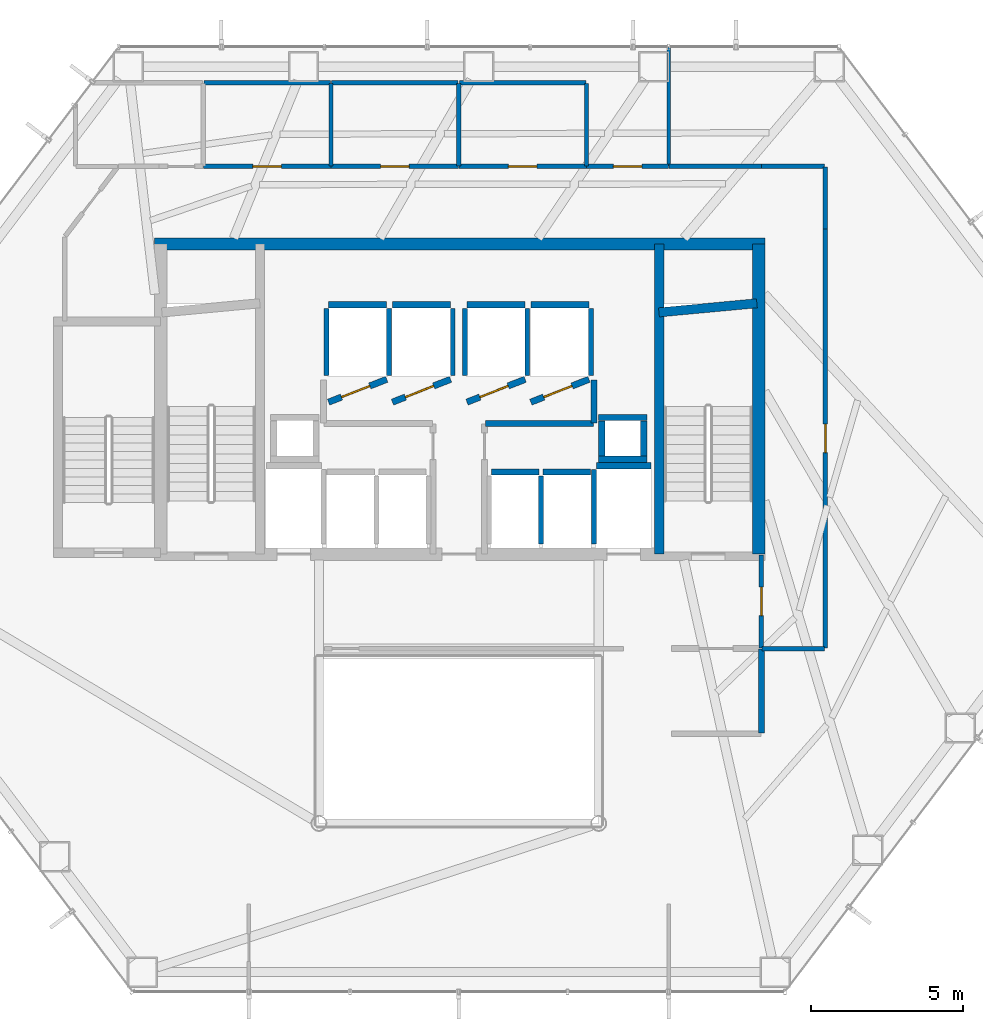
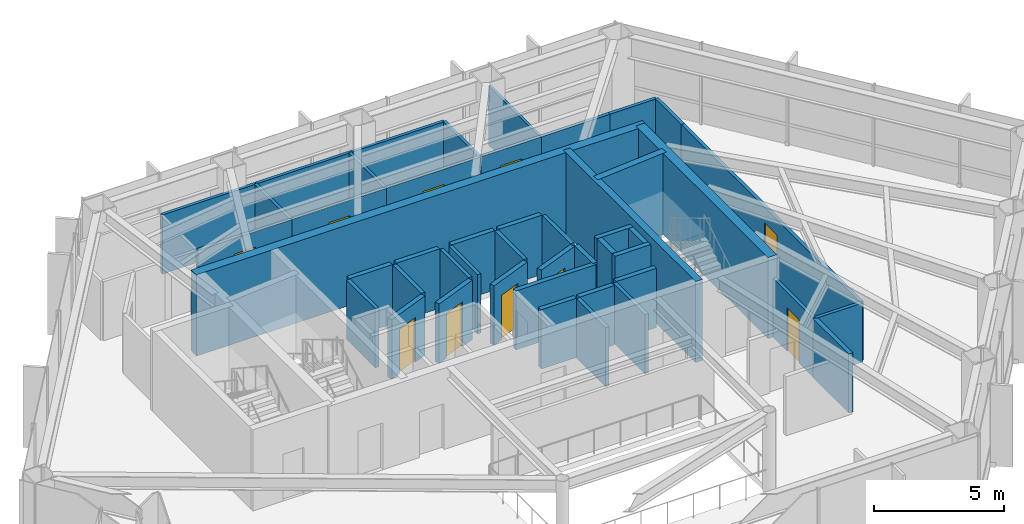
# One storey, part 23 of 25: 47 walls, 10 doors, 10 openings.
"""IFC4 building model written with IfcOpenShell, lengths in metres."""

from ifc_helpers import new_model, si_unit, direction, frame, frame_2d, origin, place, context, subcontext, project, spatial, rectangle, extrude, material, layer, layer_set, type_object, element, fill, save


model = new_model("IFC4")

# Units and contexts
model_context = context("Model", 3, precision=1e-05, world=origin(), true_north=direction((0.0, 1.0)))
body_context = subcontext(model_context, "Body", "Model", "MODEL_VIEW")
ifc_project = project(units=[si_unit("LENGTHUNIT", "METRE"), si_unit("AREAUNIT", "SQUARE_METRE"), si_unit("VOLUMEUNIT", "CUBIC_METRE"), si_unit("PLANEANGLEUNIT", "RADIAN"), si_unit("MASSUNIT", "GRAM", prefix="KILO")], contexts=[model_context])

# Site, building, storey
site_placement = place(None, origin())
site = spatial("IfcSite", under=ifc_project, at=site_placement, CompositionType="ELEMENT")
building_placement = place(site_placement, origin())
building = spatial("IfcBuilding", under=site, at=building_placement, Name="Zarrinselat Tower", CompositionType="ELEMENT")
storey_placement = place(building_placement, frame((0.0, 0.0, 56.10009765625)))
storey = spatial("IfcBuildingStorey", under=building, at=storey_placement, Name="L13", CompositionType="ELEMENT", Elevation=56.10009765625)

# Wall
ifc_material_1 = material(Name="Concrete C40/50", Category="concrete")
ifc_layer_1 = layer(ifc_material_1, 0.18994140625)
ifc_layer_set_1 = layer_set([ifc_layer_1], Name="Concrete C40/50")
wall_type_1 = type_object("IfcWallType", Name="WAL-PART-EI120", PredefinedType="PARTITIONING", material=ifc_layer_set_1)
wall_1_placement = place(storey_placement, frame((48.35009765625, 27.3701171875, 0.0), z_axis=(0.0, 0.0, 1.0), x_axis=(0.0, 1.0, 0.0)))
element("IfcWall", 1, at=wall_1_placement, inside=storey, type_object=wall_type_1, Name="L13 Partition Wall 11", PredefinedType="PARTITIONING", context=body_context, shape_type="SweptSolid", body=[
    extrude(rectangle(XDim=2.759765625, YDim=0.18994140625, at=frame_2d((1.3798828125, 0.0))), origin(), (0.0, 0.0, 1.0), 2.77685546875),
])

# Wall, opening, door
ifc_material_2 = material(Name="Fire-Rated Gypsum Board Partition", Category="gypsum")
ifc_layer_2 = layer(ifc_material_2, 0.14990234375)
ifc_layer_set_2 = layer_set([ifc_layer_2], Name="Fire-Rated Gypsum Board Partition")
wall_type_2 = type_object("IfcWallType", Name="WAL-PART-EI60", PredefinedType="PARTITIONING", material=ifc_layer_set_2)
wall_2_placement = place(storey_placement, frame((48.35009765625, 30.169921875, 0.0), z_axis=(0.0, 0.0, 1.0), x_axis=(0.0, 1.0, 0.0)))
wall_2 = element("IfcWall", 2, at=wall_2_placement, inside=storey, type_object=wall_type_2, Name="L13 Partition Wall 8", PredefinedType="PARTITIONING", context=body_context, shape_type="SweptSolid", body=[
    extrude(rectangle(XDim=3.06005859375, YDim=0.14990234375, at=frame_2d((1.530029296875, 0.0))), origin(), (0.0, 0.0, 1.0), 2.77685546875),
])
opening_1_placement = place(wall_2_placement, frame((1.06005859375, 0.0, 0.0)))
opening_1 = element("IfcOpeningElement", 3, at=opening_1_placement, cuts=wall_2, Name="Opening ID-04", PredefinedType="OPENING", context=body_context, shape_type="SweptSolid", body=[
    extrude(rectangle(XDim=0.93994140625, YDim=2.050048828125, at=frame_2d((0.469970703125, 1.02490234375))), frame((0.0, 0.0849609375, 0.0), z_axis=(0.0, -1.0, 0.0), x_axis=(1.0, 0.0, 0.0)), (0.0, 0.0, 1.0), 0.169921875),
])
ifc_material_3 = material(Name="Fire-Rated Gypsum Board Partition")
door_type_1 = type_object("IfcDoorType", Name="DR-INT-FD30-ENT", OperationType="NOTDEFINED", PredefinedType="DOOR", material=ifc_material_3)
door_1_placement = place(opening_1_placement, origin())
door_1 = element("IfcDoor", 4, at=door_1_placement, inside=storey, type_object=door_type_1, Name="L13 Interior Door P8", OperationType="SINGLE_SWING_LEFT", OverallHeight=2.050048828125, OverallWidth=0.93994140625, PredefinedType="DOOR", context=body_context, shape_type="SweptSolid", body=[
    extrude(rectangle(XDim=0.93994140625, YDim=2.050048828125, at=frame_2d((0.469970703125, 1.02490234375))), frame((0.0, 0.02490234375, 0.0), z_axis=(0.0, -1.0, 0.0), x_axis=(1.0, 0.0, 0.0)), (0.0, 0.0, 1.0), 0.050048828125),
])
fill(opening_1, door_1)

wall_3_placement = place(storey_placement, frame((30.0048828125, 46.0, 0.0), z_axis=(0.0, 0.0, 1.0), x_axis=(1.0, 0.0, 0.0)))
wall_3 = element("IfcWall", 5, at=wall_3_placement, inside=storey, type_object=wall_type_2, Name="L13 Partition Wall 14", PredefinedType="PARTITIONING", context=body_context, shape_type="SweptSolid", body=[
    extrude(rectangle(XDim=4.190185546875, YDim=0.14990234375, at=frame_2d((2.09521484375, 0.0))), origin(), (0.0, 0.0, 1.0), 2.77685546875),
])
opening_2_placement = place(wall_3_placement, frame((1.625, 0.0, 0.0)))
opening_2 = element("IfcOpeningElement", 6, at=opening_2_placement, cuts=wall_3, Name="Opening ID-04", PredefinedType="OPENING", context=body_context, shape_type="SweptSolid", body=[
    extrude(rectangle(XDim=0.93994140625, YDim=2.050048828125, at=frame_2d((0.469970703125, 1.02490234375))), frame((0.0, 0.0849609375, 0.0), z_axis=(0.0, -1.0, 0.0), x_axis=(1.0, 0.0, 0.0)), (0.0, 0.0, 1.0), 0.169921875),
])
door_2_placement = place(opening_2_placement, origin())
door_2 = element("IfcDoor", 7, at=door_2_placement, inside=storey, type_object=door_type_1, Name="L13 Interior Door P14", OperationType="SINGLE_SWING_RIGHT", OverallHeight=2.050048828125, OverallWidth=0.93994140625, PredefinedType="DOOR", context=body_context, shape_type="SweptSolid", body=[
    extrude(rectangle(XDim=0.93994140625, YDim=2.050048828125, at=frame_2d((0.469970703125, 1.02490234375))), frame((0.0, 0.02490234375, 0.0), z_axis=(0.0, -1.0, 0.0), x_axis=(1.0, 0.0, 0.0)), (0.0, 0.0, 1.0), 0.050048828125),
])
fill(opening_2, door_2)

wall_4_placement = place(storey_placement, frame((34.205078125, 46.0, 0.0), z_axis=(0.0, 0.0, 1.0), x_axis=(1.0, 0.0, 0.0)))
wall_4 = element("IfcWall", 8, at=wall_4_placement, inside=storey, type_object=wall_type_2, Name="L13 Partition Wall 15", PredefinedType="PARTITIONING", context=body_context, shape_type="SweptSolid", body=[
    extrude(rectangle(XDim=4.18994140625, YDim=0.14990234375, at=frame_2d((2.094970703125, 0.0))), origin(), (0.0, 0.0, 1.0), 2.77685546875),
])
opening_3_placement = place(wall_4_placement, frame((1.625, 0.0, 0.0)))
opening_3 = element("IfcOpeningElement", 9, at=opening_3_placement, cuts=wall_4, Name="Opening ID-04", PredefinedType="OPENING", context=body_context, shape_type="SweptSolid", body=[
    extrude(rectangle(XDim=0.93994140625, YDim=2.050048828125, at=frame_2d((0.469970703125, 1.02490234375))), frame((0.0, 0.0849609375, 0.0), z_axis=(0.0, -1.0, 0.0), x_axis=(1.0, 0.0, 0.0)), (0.0, 0.0, 1.0), 0.169921875),
])
door_3_placement = place(opening_3_placement, origin())
door_3 = element("IfcDoor", 10, at=door_3_placement, inside=storey, type_object=door_type_1, Name="L13 Interior Door P15", OperationType="SINGLE_SWING_LEFT", OverallHeight=2.050048828125, OverallWidth=0.93994140625, PredefinedType="DOOR", context=body_context, shape_type="SweptSolid", body=[
    extrude(rectangle(XDim=0.93994140625, YDim=2.050048828125, at=frame_2d((0.469970703125, 1.02490234375))), frame((0.0, 0.02490234375, 0.0), z_axis=(0.0, -1.0, 0.0), x_axis=(1.0, 0.0, 0.0)), (0.0, 0.0, 1.0), 0.050048828125),
])
fill(opening_3, door_3)

wall_5_placement = place(storey_placement, frame((38.405029296875, 46.0, 0.0), z_axis=(0.0, 0.0, 1.0), x_axis=(1.0, 0.0, 0.0)))
wall_5 = element("IfcWall", 11, at=wall_5_placement, inside=storey, type_object=wall_type_2, Name="L13 Partition Wall 16", PredefinedType="PARTITIONING", context=body_context, shape_type="SweptSolid", body=[
    extrude(rectangle(XDim=4.18994140625, YDim=0.14990234375, at=frame_2d((2.094970703125, 0.0))), origin(), (0.0, 0.0, 1.0), 2.77685546875),
])
opening_4_placement = place(wall_5_placement, frame((1.625, 0.0, 0.0)))
opening_4 = element("IfcOpeningElement", 12, at=opening_4_placement, cuts=wall_5, Name="Opening ID-04", PredefinedType="OPENING", context=body_context, shape_type="SweptSolid", body=[
    extrude(rectangle(XDim=0.93994140625, YDim=2.050048828125, at=frame_2d((0.469970703125, 1.02490234375))), frame((0.0, 0.0849609375, 0.0), z_axis=(0.0, -1.0, 0.0), x_axis=(1.0, 0.0, 0.0)), (0.0, 0.0, 1.0), 0.169921875),
])
door_4_placement = place(opening_4_placement, origin())
door_4 = element("IfcDoor", 13, at=door_4_placement, inside=storey, type_object=door_type_1, Name="L13 Interior Door P16", OperationType="SINGLE_SWING_RIGHT", OverallHeight=2.050048828125, OverallWidth=0.93994140625, PredefinedType="DOOR", context=body_context, shape_type="SweptSolid", body=[
    extrude(rectangle(XDim=0.93994140625, YDim=2.050048828125, at=frame_2d((0.469970703125, 1.02490234375))), frame((0.0, 0.02490234375, 0.0), z_axis=(0.0, -1.0, 0.0), x_axis=(1.0, 0.0, 0.0)), (0.0, 0.0, 1.0), 0.050048828125),
])
fill(opening_4, door_4)

# Walls
wall_6_placement = place(storey_placement, frame((45.304931640625, 46.0, 0.0), z_axis=(0.0, 0.0, 1.0), x_axis=(1.0, 0.0, 0.0)))
element("IfcWall", 14, at=wall_6_placement, inside=storey, type_object=wall_type_2, Name="L13 Partition Wall 19", PredefinedType="PARTITIONING", context=body_context, shape_type="SweptSolid", body=[
    extrude(rectangle(XDim=3.045166015625, YDim=0.14990234375, at=frame_2d((1.5224609375, 0.0))), origin(), (0.0, 0.0, 1.0), 2.77685546875),
])
wall_7_placement = place(storey_placement, frame((48.35009765625, 46.0, 0.0), z_axis=(0.0, 0.0, 1.0), x_axis=(1.0, 0.0, 0.0)))
element("IfcWall", 15, at=wall_7_placement, inside=storey, type_object=wall_type_2, Name="L13 Partition Wall 20", PredefinedType="PARTITIONING", context=body_context, shape_type="SweptSolid", body=[
    extrude(rectangle(XDim=2.079833984375, YDim=0.14990234375, at=frame_2d((1.0400390625, 0.0))), origin(), (0.0, 0.0, 1.0), 2.77685546875),
])
wall_8_placement = place(storey_placement, frame((50.449951171875, 43.949951171875, 0.0), z_axis=(0.0, 0.0, 1.0), x_axis=(0.0, 1.0, 0.0)))
element("IfcWall", 16, at=wall_8_placement, inside=storey, type_object=wall_type_2, Name="L13 Partition Wall 21", PredefinedType="PARTITIONING", context=body_context, shape_type="SweptSolid", body=[
    extrude(rectangle(XDim=2.030029296875, YDim=0.14990234375, at=frame_2d((1.01513671875, 0.0))), origin(), (0.0, 0.0, 1.0), 2.77685546875),
])

# Wall, opening, door
wall_9_placement = place(storey_placement, frame((50.449951171875, 30.169921875, 0.0), z_axis=(0.0, 0.0, 1.0), x_axis=(0.0, 1.0, 0.0)))
wall_9 = element("IfcWall", 17, at=wall_9_placement, inside=storey, type_object=wall_type_2, Name="L13 Partition Wall 22", PredefinedType="PARTITIONING", context=body_context, shape_type="SweptSolid", body=[
    extrude(rectangle(XDim=13.780029296875, YDim=0.14990234375, at=frame_2d((6.89013671875, 0.0))), origin(), (0.0, 0.0, 1.0), 2.77685546875),
])
opening_5_placement = place(wall_9_placement, frame((6.419921875, 0.0, 0.0)))
opening_5 = element("IfcOpeningElement", 18, at=opening_5_placement, cuts=wall_9, Name="Opening ID-04", PredefinedType="OPENING", context=body_context, shape_type="SweptSolid", body=[
    extrude(rectangle(XDim=0.93994140625, YDim=2.050048828125, at=frame_2d((0.469970703125, 1.02490234375))), frame((0.0, 0.0849609375, 0.0), z_axis=(0.0, -1.0, 0.0), x_axis=(1.0, 0.0, 0.0)), (0.0, 0.0, 1.0), 0.169921875),
])
door_5_placement = place(opening_5_placement, origin())
door_5 = element("IfcDoor", 19, at=door_5_placement, inside=storey, type_object=door_type_1, Name="L13 Interior Door P22", OperationType="SINGLE_SWING_RIGHT", OverallHeight=2.050048828125, OverallWidth=0.93994140625, PredefinedType="DOOR", context=body_context, shape_type="SweptSolid", body=[
    extrude(rectangle(XDim=0.93994140625, YDim=2.050048828125, at=frame_2d((0.469970703125, 1.02490234375))), frame((0.0, 0.02490234375, 0.0), z_axis=(0.0, -1.0, 0.0), x_axis=(1.0, 0.0, 0.0)), (0.0, 0.0, 1.0), 0.050048828125),
])
fill(opening_5, door_5)

# Wall
wall_10_placement = place(storey_placement, frame((48.3701171875, 30.14990234375, 0.0), z_axis=(0.0, 0.0, 1.0), x_axis=(1.0, 0.0, 0.0)))
element("IfcWall", 20, at=wall_10_placement, inside=storey, type_object=wall_type_2, Name="L13 Partition Wall 23", PredefinedType="PARTITIONING", context=body_context, shape_type="SweptSolid", body=[
    extrude(rectangle(XDim=2.059814453125, YDim=0.14990234375, at=frame_2d((1.02978515625, 0.0))), origin(), (0.0, 0.0, 1.0), 2.77685546875),
])

# Wall, opening, door
wall_11_placement = place(storey_placement, frame((42.60498046875, 46.0, 0.0), z_axis=(0.0, 0.0, 1.0), x_axis=(1.0, 0.0, 0.0)))
wall_11 = element("IfcWall", 21, at=wall_11_placement, inside=storey, type_object=wall_type_2, Name="L13 Partition Wall 24", PredefinedType="PARTITIONING", context=body_context, shape_type="SweptSolid", body=[
    extrude(rectangle(XDim=2.68994140625, YDim=0.14990234375, at=frame_2d((1.344970703125, 0.0))), origin(), (0.0, 0.0, 1.0), 2.77685546875),
])
opening_6_placement = place(wall_11_placement, frame((0.875, 0.0, 0.0)))
opening_6 = element("IfcOpeningElement", 22, at=opening_6_placement, cuts=wall_11, Name="Opening ID-04", PredefinedType="OPENING", context=body_context, shape_type="SweptSolid", body=[
    extrude(rectangle(XDim=0.93994140625, YDim=2.050048828125, at=frame_2d((0.469970703125, 1.02490234375))), frame((0.0, 0.0849609375, 0.0), z_axis=(0.0, -1.0, 0.0), x_axis=(1.0, 0.0, 0.0)), (0.0, 0.0, 1.0), 0.169921875),
])
door_6_placement = place(opening_6_placement, origin())
door_6 = element("IfcDoor", 23, at=door_6_placement, inside=storey, type_object=door_type_1, Name="L13 Interior Door P24", OperationType="SINGLE_SWING_LEFT", OverallHeight=2.050048828125, OverallWidth=0.93994140625, PredefinedType="DOOR", context=body_context, shape_type="SweptSolid", body=[
    extrude(rectangle(XDim=0.93994140625, YDim=2.050048828125, at=frame_2d((0.469970703125, 1.02490234375))), frame((0.0, 0.02490234375, 0.0), z_axis=(0.0, -1.0, 0.0), x_axis=(1.0, 0.0, 0.0)), (0.0, 0.0, 1.0), 0.050048828125),
])
fill(opening_6, door_6)

# Walls
ifc_material_4 = material(Name="Concrete C40/50", Category="concrete")
ifc_layer_3 = layer(ifc_material_4, 0.199951171875)
ifc_layer_set_3 = layer_set([ifc_layer_3], Name="Concrete C40/50")
wall_type_3 = type_object("IfcWallType", Name="WAL-PART-PLANT", PredefinedType="PARTITIONING", material=ifc_layer_set_3)
wall_12_placement = place(storey_placement, frame((42.85009765625, 37.570068359375, 0.0), z_axis=(0.0, 0.0, 1.0), x_axis=(0.0, 1.0, 0.0)))
element("IfcWall", 24, at=wall_12_placement, inside=storey, type_object=wall_type_3, Name="L13 Partition Wall 4", PredefinedType="PARTITIONING", context=body_context, shape_type="SweptSolid", body=[
    extrude(rectangle(XDim=1.4150390625, YDim=0.199951171875, at=frame_2d((0.70751953125, 0.0))), origin(), (0.0, 0.0, 1.0), 2.77685546875),
])
wall_13_placement = place(storey_placement, frame((39.27001953125, 37.550048828125, 0.0), z_axis=(0.0, 0.0, 1.0), x_axis=(1.0, 0.0, 0.0)))
element("IfcWall", 25, at=wall_13_placement, inside=storey, type_object=wall_type_3, Name="L13 Partition Wall 5", PredefinedType="PARTITIONING", context=body_context, shape_type="SweptSolid", body=[
    extrude(rectangle(XDim=3.56005859375, YDim=0.199951171875, at=frame_2d((1.780029296875, 0.0))), origin(), (0.0, 0.0, 1.0), 2.77685546875),
])
ifc_material_5 = material(Name="Fire-Rated Gypsum Board Partition", Category="gypsum")
ifc_layer_4 = layer(ifc_material_5, 0.1201171875)
ifc_layer_set_4 = layer_set([ifc_layer_4], Name="Fire-Rated Gypsum Board Partition")
wall_type_4 = type_object("IfcWallType", Name="WAL-PART-STD", PredefinedType="PARTITIONING", material=ifc_layer_set_4)
wall_14_placement = place(storey_placement, frame((45.300048828125, 46.02001953125, 0.0), z_axis=(0.0, 0.0, 1.0), x_axis=(0.0, 1.0, 0.0)))
element("IfcWall", 26, at=wall_14_placement, inside=storey, type_object=wall_type_4, Name="L13 Partition Wall 37", PredefinedType="PARTITIONING", context=body_context, shape_type="SweptSolid", body=[
    extrude(rectangle(XDim=3.892822265625, YDim=0.1201171875, at=frame_2d((1.9462890625, 0.0))), origin(), (0.0, 0.0, 1.0), 2.77685546875),
])
ifc_material_6 = material(Name="Fire-Rated Gypsum Board Partition", Category="gypsum")
ifc_layer_5 = layer(ifc_material_6, 0.135009765625)
ifc_layer_set_5 = layer_set([ifc_layer_5], Name="Fire-Rated Gypsum Board Partition")
wall_type_5 = type_object("IfcWallType", Name="WAL-PART-WET", PredefinedType="PARTITIONING", material=ifc_layer_set_5)
wall_15_placement = place(storey_placement, frame((34.199951171875, 46.02001953125, 0.0), z_axis=(0.0, 0.0, 1.0), x_axis=(0.0, 1.0, 0.0)))
element("IfcWall", 27, at=wall_15_placement, inside=storey, type_object=wall_type_5, Name="L13 Partition Wall 29", PredefinedType="PARTITIONING", context=body_context, shape_type="SweptSolid", body=[
    extrude(rectangle(XDim=2.7099609375, YDim=0.135009765625, at=frame_2d((1.35498046875, 0.0))), origin(), (0.0, 0.0, 1.0), 2.77685546875),
])
wall_16_placement = place(storey_placement, frame((30.02001953125, 48.75, 0.0), z_axis=(0.0, 0.0, 1.0), x_axis=(1.0, 0.0, 0.0)))
element("IfcWall", 28, at=wall_16_placement, inside=storey, type_object=wall_type_5, Name="L13 Partition Wall 30", PredefinedType="PARTITIONING", context=body_context, shape_type="SweptSolid", body=[
    extrude(rectangle(XDim=4.159912109375, YDim=0.135009765625, at=frame_2d((2.080078125, 0.0))), origin(), (0.0, 0.0, 1.0), 2.77685546875),
])
wall_17_placement = place(storey_placement, frame((38.39990234375, 46.02001953125, 0.0), z_axis=(0.0, 0.0, 1.0), x_axis=(0.0, 1.0, 0.0)))
element("IfcWall", 29, at=wall_17_placement, inside=storey, type_object=wall_type_5, Name="L13 Partition Wall 31", PredefinedType="PARTITIONING", context=body_context, shape_type="SweptSolid", body=[
    extrude(rectangle(XDim=2.7099609375, YDim=0.135009765625, at=frame_2d((1.35498046875, 0.0))), origin(), (0.0, 0.0, 1.0), 2.77685546875),
])
wall_18_placement = place(storey_placement, frame((34.219970703125, 48.75, 0.0), z_axis=(0.0, 0.0, 1.0), x_axis=(1.0, 0.0, 0.0)))
element("IfcWall", 30, at=wall_18_placement, inside=storey, type_object=wall_type_5, Name="L13 Partition Wall 32", PredefinedType="PARTITIONING", context=body_context, shape_type="SweptSolid", body=[
    extrude(rectangle(XDim=4.159912109375, YDim=0.135009765625, at=frame_2d((2.080078125, 0.0))), origin(), (0.0, 0.0, 1.0), 2.77685546875),
])
wall_19_placement = place(storey_placement, frame((38.419921875, 48.75, 0.0), z_axis=(0.0, 0.0, 1.0), x_axis=(1.0, 0.0, 0.0)))
element("IfcWall", 31, at=wall_19_placement, inside=storey, type_object=wall_type_5, Name="L13 Partition Wall 33", PredefinedType="PARTITIONING", context=body_context, shape_type="SweptSolid", body=[
    extrude(rectangle(XDim=4.16015625, YDim=0.135009765625, at=frame_2d((2.080078125, 0.0))), origin(), (0.0, 0.0, 1.0), 2.77685546875),
])
wall_20_placement = place(storey_placement, frame((42.60009765625, 46.02001953125, 0.0), z_axis=(0.0, 0.0, 1.0), x_axis=(0.0, 1.0, 0.0)))
element("IfcWall", 32, at=wall_20_placement, inside=storey, type_object=wall_type_5, Name="L13 Partition Wall 34", PredefinedType="PARTITIONING", context=body_context, shape_type="SweptSolid", body=[
    extrude(rectangle(XDim=2.7099609375, YDim=0.135009765625, at=frame_2d((1.35498046875, 0.0))), origin(), (0.0, 0.0, 1.0), 2.77685546875),
])
ifc_material_7 = material(Name="Concrete C40/50", Category="concrete")
ifc_layer_6 = layer(ifc_material_7, 0.2099609375)
ifc_layer_set_6 = layer_set([ifc_layer_6], Name="Concrete C40/50")
wall_type_6 = type_object("IfcWallType", Name="WAL-SHAFT-210", PredefinedType="SOLIDWALL", material=ifc_layer_set_6)
wall_21_placement = place(storey_placement, frame((42.919921875, 36.155029296875, 0.0), z_axis=(0.0, 0.0, 1.0), x_axis=(1.0, 0.0, 0.0)))
element("IfcWall", 33, at=wall_21_placement, inside=storey, type_object=wall_type_6, Name="L13 Lift FFL2 North Shaft Wall", PredefinedType="SOLIDWALL", context=body_context, shape_type="SweptSolid", body=[
    extrude(rectangle(XDim=1.800048828125, YDim=0.2099609375, at=frame_2d((0.89990234375, 0.0))), origin(), (0.0, 0.0, 1.0), 2.7919921875),
])
wall_22_placement = place(storey_placement, frame((42.85009765625, 33.580078125, 0.0), z_axis=(0.0, 0.0, 1.0), x_axis=(0.0, 1.0, 0.0)))
element("IfcWall", 34, at=wall_22_placement, inside=storey, type_object=wall_type_6, Name="L13 Lift FFL2 W Shaft Wall", PredefinedType="SOLIDWALL", context=body_context, shape_type="SweptSolid", body=[
    extrude(rectangle(XDim=2.449951171875, YDim=0.159912109375, at=frame_2d((1.22509765625, 0.0))), origin(), (0.0, 0.0, 1.0), 2.7919921875),
])

# Wall, opening, door
wall_23_placement = place(storey_placement, frame((34.1201171875, 38.25, 0.0), z_axis=(0.0, 0.0, 1.0), x_axis=(0.930804993012, 0.36551616241, 0.0)))
wall_23 = element("IfcWall", 35, at=wall_23_placement, inside=storey, type_object=wall_type_6, Name="L13 Lift PL1 Front Shaft Wall", PredefinedType="SOLIDWALL", context=body_context, shape_type="SweptSolid", body=[
    extrude(rectangle(XDim=2.052001953125, YDim=0.2099609375, at=frame_2d((1.02587890625, 0.0))), origin(), (0.0, 0.0, 1.0), 2.7919921875),
])
opening_7_placement = place(wall_23_placement, frame((0.455078125, 0.0, 0.0)))
opening_7 = element("IfcOpeningElement", 36, at=opening_7_placement, cuts=wall_23, Name="Opening LD-PL1", PredefinedType="OPENING", context=body_context, shape_type="SweptSolid", body=[
    extrude(rectangle(XDim=1.0, YDim=2.10009765625, at=frame_2d((0.5, 1.050048828125))), frame((0.0, 0.114990234375, 0.0), z_axis=(0.0, -1.0, 0.0), x_axis=(1.0, 0.0, 0.0)), (0.0, 0.0, 1.0), 0.22998046875),
])
ifc_material_8 = material(Name="Steel S355J2", Category="steel")
door_type_2 = type_object("IfcDoorType", Name="DR-LIFT-PS-1000", OperationType="NOTDEFINED", PredefinedType="DOOR", material=ifc_material_8)
door_7_placement = place(opening_7_placement, origin())
door_7 = element("IfcDoor", 37, at=door_7_placement, inside=storey, type_object=door_type_2, Name="L13 Lift PL1 Sliding Landing Door", OperationType="SLIDING_TO_LEFT", OverallHeight=2.10009765625, OverallWidth=1.0, PredefinedType="DOOR", context=body_context, shape_type="SweptSolid", body=[
    extrude(rectangle(XDim=1.0, YDim=2.10009765625, at=frame_2d((0.5, 1.050048828125))), frame((0.0, 0.02490234375, 0.0), z_axis=(0.0, -1.0, 0.0), x_axis=(1.0, 0.0, 0.0)), (0.0, 0.0, 1.0), 0.050048828125),
])
fill(opening_7, door_7)

# Walls
wall_24_placement = place(storey_placement, frame((34.1201171875, 41.455078125, 0.0), z_axis=(0.0, 0.0, 1.0), x_axis=(1.0, 0.0, 0.0)))
element("IfcWall", 38, at=wall_24_placement, inside=storey, type_object=wall_type_6, Name="L13 Lift PL1 Rear Shaft Wall", PredefinedType="SOLIDWALL", context=body_context, shape_type="SweptSolid", body=[
    extrude(rectangle(XDim=1.909912109375, YDim=0.2099609375, at=frame_2d((0.955078125, 0.0))), origin(), (0.0, 0.0, 1.0), 2.7919921875),
])
for number, where, z_axis, x_axis, name in (
    (39, (34.050048828125, 39.1201171875, 0.0), (0.0, 0.0, 1.0), (0.0, 1.0, 0.0), "L13 Lift PL1 W Shaft Wall"),
    (40, (36.10009765625, 39.1201171875, 0.0), (0.0, 0.0, 1.0), (0.0, 1.0, 0.0), "L13 Lift PL1 E Shaft Wall"),
):
    element("IfcWall", number, at=place(storey_placement, frame(where, z_axis=z_axis, x_axis=x_axis)), inside=storey, type_object=wall_type_6, Name=name, PredefinedType="SOLIDWALL", context=body_context, shape_type="SweptSolid", body=[
        extrude(rectangle(XDim=2.2099609375, YDim=0.159912109375, at=frame_2d((1.10498046875, 0.0))), origin(), (0.0, 0.0, 1.0), 2.7919921875),
    ])

# Wall, opening, door
wall_25_placement = place(storey_placement, frame((36.219970703125, 38.25, 0.0), z_axis=(0.0, 0.0, 1.0), x_axis=(0.930804993012, 0.36551616241, 0.0)))
wall_25 = element("IfcWall", 41, at=wall_25_placement, inside=storey, type_object=wall_type_6, Name="L13 Lift PL2 Front Shaft Wall", PredefinedType="SOLIDWALL", context=body_context, shape_type="SweptSolid", body=[
    extrude(rectangle(XDim=2.052001953125, YDim=0.2099609375, at=frame_2d((1.02587890625, 0.0))), origin(), (0.0, 0.0, 1.0), 2.7919921875),
])
opening_8_placement = place(wall_25_placement, frame((0.455078125, 0.0, 0.0)))
opening_8 = element("IfcOpeningElement", 42, at=opening_8_placement, cuts=wall_25, Name="Opening LD-PL2", PredefinedType="OPENING", context=body_context, shape_type="SweptSolid", body=[
    extrude(rectangle(XDim=1.0, YDim=2.10009765625, at=frame_2d((0.5, 1.050048828125))), frame((0.0, 0.114990234375, 0.0), z_axis=(0.0, -1.0, 0.0), x_axis=(1.0, 0.0, 0.0)), (0.0, 0.0, 1.0), 0.22998046875),
])
door_8_placement = place(opening_8_placement, origin())
door_8 = element("IfcDoor", 43, at=door_8_placement, inside=storey, type_object=door_type_2, Name="L13 Lift PL2 Sliding Landing Door", OperationType="SLIDING_TO_RIGHT", OverallHeight=2.10009765625, OverallWidth=1.0, PredefinedType="DOOR", context=body_context, shape_type="SweptSolid", body=[
    extrude(rectangle(XDim=1.0, YDim=2.10009765625, at=frame_2d((0.5, 1.050048828125))), frame((0.0, 0.02490234375, 0.0), z_axis=(0.0, -1.0, 0.0), x_axis=(1.0, 0.0, 0.0)), (0.0, 0.0, 1.0), 0.050048828125),
])
fill(opening_8, door_8)

# Walls
wall_26_placement = place(storey_placement, frame((36.219970703125, 41.455078125, 0.0), z_axis=(0.0, 0.0, 1.0), x_axis=(1.0, 0.0, 0.0)))
element("IfcWall", 44, at=wall_26_placement, inside=storey, type_object=wall_type_6, Name="L13 Lift PL2 Rear Shaft Wall", PredefinedType="SOLIDWALL", context=body_context, shape_type="SweptSolid", body=[
    extrude(rectangle(XDim=1.909912109375, YDim=0.2099609375, at=frame_2d((0.955078125, 0.0))), origin(), (0.0, 0.0, 1.0), 2.7919921875),
])
wall_27_placement = place(storey_placement, frame((38.199951171875, 39.1201171875, 0.0), z_axis=(0.0, 0.0, 1.0), x_axis=(0.0, 1.0, 0.0)))
element("IfcWall", 45, at=wall_27_placement, inside=storey, type_object=wall_type_6, Name="L13 Lift PL2 E Shaft Wall", PredefinedType="SOLIDWALL", context=body_context, shape_type="SweptSolid", body=[
    extrude(rectangle(XDim=2.2099609375, YDim=0.159912109375, at=frame_2d((1.10498046875, 0.0))), origin(), (0.0, 0.0, 1.0), 2.7919921875),
])

# Wall, opening, door
wall_28_placement = place(storey_placement, frame((38.669921875, 38.25, 0.0), z_axis=(0.0, 0.0, 1.0), x_axis=(0.930820886763, 0.3654756856, 0.0)))
wall_28 = element("IfcWall", 46, at=wall_28_placement, inside=storey, type_object=wall_type_6, Name="L13 Lift PL3 Front Shaft Wall", PredefinedType="SOLIDWALL", context=body_context, shape_type="SweptSolid", body=[
    extrude(rectangle(XDim=2.052001953125, YDim=0.2099609375, at=frame_2d((1.02587890625, 0.0))), origin(), (0.0, 0.0, 1.0), 2.7919921875),
])
opening_9_placement = place(wall_28_placement, frame((0.455078125, 0.0, 0.0)))
opening_9 = element("IfcOpeningElement", 47, at=opening_9_placement, cuts=wall_28, Name="Opening LD-PL3", PredefinedType="OPENING", context=body_context, shape_type="SweptSolid", body=[
    extrude(rectangle(XDim=1.0, YDim=2.10009765625, at=frame_2d((0.5, 1.050048828125))), frame((0.0, 0.114990234375, 0.0), z_axis=(0.0, -1.0, 0.0), x_axis=(1.0, 0.0, 0.0)), (0.0, 0.0, 1.0), 0.22998046875),
])
door_9_placement = place(opening_9_placement, origin())
door_9 = element("IfcDoor", 48, at=door_9_placement, inside=storey, type_object=door_type_2, Name="L13 Lift PL3 Sliding Landing Door", OperationType="SLIDING_TO_LEFT", OverallHeight=2.10009765625, OverallWidth=1.0, PredefinedType="DOOR", context=body_context, shape_type="SweptSolid", body=[
    extrude(rectangle(XDim=1.0, YDim=2.10009765625, at=frame_2d((0.5, 1.050048828125))), frame((0.0, 0.02490234375, 0.0), z_axis=(0.0, -1.0, 0.0), x_axis=(1.0, 0.0, 0.0)), (0.0, 0.0, 1.0), 0.050048828125),
])
fill(opening_9, door_9)

# Walls
wall_29_placement = place(storey_placement, frame((38.669921875, 41.455078125, 0.0), z_axis=(0.0, 0.0, 1.0), x_axis=(1.0, 0.0, 0.0)))
element("IfcWall", 49, at=wall_29_placement, inside=storey, type_object=wall_type_6, Name="L13 Lift PL3 Rear Shaft Wall", PredefinedType="SOLIDWALL", context=body_context, shape_type="SweptSolid", body=[
    extrude(rectangle(XDim=1.91015625, YDim=0.2099609375, at=frame_2d((0.955078125, 0.0))), origin(), (0.0, 0.0, 1.0), 2.7919921875),
])
for number, where, z_axis, x_axis, name in (
    (50, (38.60009765625, 39.1201171875, 0.0), (0.0, 0.0, 1.0), (0.0, 1.0, 0.0), "L13 Lift PL3 W Shaft Wall"),
    (51, (40.64990234375, 39.1201171875, 0.0), (0.0, 0.0, 1.0), (0.0, 1.0, 0.0), "L13 Lift PL3 E Shaft Wall"),
):
    element("IfcWall", number, at=place(storey_placement, frame(where, z_axis=z_axis, x_axis=x_axis)), inside=storey, type_object=wall_type_6, Name=name, PredefinedType="SOLIDWALL", context=body_context, shape_type="SweptSolid", body=[
        extrude(rectangle(XDim=2.2099609375, YDim=0.159912109375, at=frame_2d((1.10498046875, 0.0))), origin(), (0.0, 0.0, 1.0), 2.7919921875),
    ])

# Wall, opening, door
wall_30_placement = place(storey_placement, frame((40.77001953125, 38.25, 0.0), z_axis=(0.0, 0.0, 1.0), x_axis=(0.930804993012, 0.36551616241, 0.0)))
wall_30 = element("IfcWall", 52, at=wall_30_placement, inside=storey, type_object=wall_type_6, Name="L13 Lift PL4 Front Shaft Wall", PredefinedType="SOLIDWALL", context=body_context, shape_type="SweptSolid", body=[
    extrude(rectangle(XDim=2.052001953125, YDim=0.2099609375, at=frame_2d((1.02587890625, 0.0))), origin(), (0.0, 0.0, 1.0), 2.7919921875),
])
opening_10_placement = place(wall_30_placement, frame((0.455078125, 0.0, 0.0)))
opening_10 = element("IfcOpeningElement", 53, at=opening_10_placement, cuts=wall_30, Name="Opening LD-PL4", PredefinedType="OPENING", context=body_context, shape_type="SweptSolid", body=[
    extrude(rectangle(XDim=1.0, YDim=2.10009765625, at=frame_2d((0.5, 1.050048828125))), frame((0.0, 0.114990234375, 0.0), z_axis=(0.0, -1.0, 0.0), x_axis=(1.0, 0.0, 0.0)), (0.0, 0.0, 1.0), 0.22998046875),
])
door_10_placement = place(opening_10_placement, origin())
door_10 = element("IfcDoor", 54, at=door_10_placement, inside=storey, type_object=door_type_2, Name="L13 Lift PL4 Sliding Landing Door", OperationType="SLIDING_TO_RIGHT", OverallHeight=2.10009765625, OverallWidth=1.0, PredefinedType="DOOR", context=body_context, shape_type="SweptSolid", body=[
    extrude(rectangle(XDim=1.0, YDim=2.10009765625, at=frame_2d((0.5, 1.050048828125))), frame((0.0, 0.02490234375, 0.0), z_axis=(0.0, -1.0, 0.0), x_axis=(1.0, 0.0, 0.0)), (0.0, 0.0, 1.0), 0.050048828125),
])
fill(opening_10, door_10)

# Walls
wall_31_placement = place(storey_placement, frame((40.77001953125, 41.455078125, 0.0), z_axis=(0.0, 0.0, 1.0), x_axis=(1.0, 0.0, 0.0)))
element("IfcWall", 55, at=wall_31_placement, inside=storey, type_object=wall_type_6, Name="L13 Lift PL4 Rear Shaft Wall", PredefinedType="SOLIDWALL", context=body_context, shape_type="SweptSolid", body=[
    extrude(rectangle(XDim=1.909912109375, YDim=0.2099609375, at=frame_2d((0.955078125, 0.0))), origin(), (0.0, 0.0, 1.0), 2.7919921875),
])
wall_32_placement = place(storey_placement, frame((42.75, 39.1201171875, 0.0), z_axis=(0.0, 0.0, 1.0), x_axis=(0.0, 1.0, 0.0)))
element("IfcWall", 56, at=wall_32_placement, inside=storey, type_object=wall_type_6, Name="L13 Lift PL4 E Shaft Wall", PredefinedType="SOLIDWALL", context=body_context, shape_type="SweptSolid", body=[
    extrude(rectangle(XDim=2.2099609375, YDim=0.159912109375, at=frame_2d((1.10498046875, 0.0))), origin(), (0.0, 0.0, 1.0), 2.7919921875),
])
wall_33_placement = place(storey_placement, frame((39.469970703125, 35.955078125, 0.0), z_axis=(0.0, 0.0, 1.0), x_axis=(1.0, 0.0, 0.0)))
element("IfcWall", 57, at=wall_33_placement, inside=storey, type_object=wall_type_6, Name="L13 Lift PL8 North Shaft Wall", PredefinedType="SOLIDWALL", context=body_context, shape_type="SweptSolid", body=[
    extrude(rectangle(XDim=1.56005859375, YDim=0.2099609375, at=frame_2d((0.780029296875, 0.0))), origin(), (0.0, 0.0, 1.0), 2.7919921875),
])
wall_34_placement = place(storey_placement, frame((41.10009765625, 33.580078125, 0.0), z_axis=(0.0, 0.0, 1.0), x_axis=(0.0, 1.0, 0.0)))
element("IfcWall", 58, at=wall_34_placement, inside=storey, type_object=wall_type_6, Name="L13 Lift PL8 E Shaft Wall", PredefinedType="SOLIDWALL", context=body_context, shape_type="SweptSolid", body=[
    extrude(rectangle(XDim=2.25, YDim=0.159912109375, at=frame_2d((1.125, 0.0))), origin(), (0.0, 0.0, 1.0), 2.7919921875),
])
wall_35_placement = place(storey_placement, frame((41.169921875, 35.955078125, 0.0), z_axis=(0.0, 0.0, 1.0), x_axis=(1.0, 0.0, 0.0)))
element("IfcWall", 59, at=wall_35_placement, inside=storey, type_object=wall_type_6, Name="L13 Lift PL9 North Shaft Wall", PredefinedType="SOLIDWALL", context=body_context, shape_type="SweptSolid", body=[
    extrude(rectangle(XDim=1.56005859375, YDim=0.2099609375, at=frame_2d((0.780029296875, 0.0))), origin(), (0.0, 0.0, 1.0), 2.7919921875),
])
for number, where, z_axis, x_axis, name in (
    (60, (42.989990234375, 36.375, 0.0), (0.0, 0.0, 1.0), (1.0, 0.0, 0.0), "L13 Core Riser RSR-E S Shaft Wall"),
    (61, (42.989990234375, 37.7451171875, 0.0), (0.0, 0.0, 1.0), (1.0, 0.0, 0.0), "L13 Core Riser RSR-E N Shaft Wall"),
):
    element("IfcWall", number, at=place(storey_placement, frame(where, z_axis=z_axis, x_axis=x_axis)), inside=storey, type_object=wall_type_6, Name=name, PredefinedType="SOLIDWALL", context=body_context, shape_type="SweptSolid", body=[
        extrude(rectangle(XDim=1.60009765625, YDim=0.2099609375, at=frame_2d((0.800048828125, 0.0))), origin(), (0.0, 0.0, 1.0), 3.81982421875),
    ])
for number, where, z_axis, x_axis, name in (
    (62, (43.094970703125, 36.485107421875, 0.0), (0.0, 0.0, 1.0), (0.0, 1.0, 0.0), "L13 Core Riser RSR-E W Shaft Wall"),
    (63, (44.485107421875, 36.485107421875, 0.0), (0.0, 0.0, 1.0), (0.0, 1.0, 0.0), "L13 Core Riser RSR-E E Shaft Wall"),
):
    element("IfcWall", number, at=place(storey_placement, frame(where, z_axis=z_axis, x_axis=x_axis)), inside=storey, type_object=wall_type_6, Name=name, PredefinedType="SOLIDWALL", context=body_context, shape_type="SweptSolid", body=[
        extrude(rectangle(XDim=1.14990234375, YDim=0.2099609375, at=frame_2d((0.574951171875, 0.0))), origin(), (0.0, 0.0, 1.0), 3.81982421875),
    ])
ifc_material_9 = material(Name="Concrete C40/50", Category="concrete")
ifc_layer_7 = layer(ifc_material_9, 0.300048828125)
ifc_layer_set_7 = layer_set([ifc_layer_7], Name="Concrete C40/50")
wall_type_7 = type_object("IfcWallType", Name="WAL-SHEAR-300", PredefinedType="SHEAR", material=ifc_layer_set_7)
wall_36_placement = place(storey_placement, frame((44.989990234375, 33.25, 0.0), z_axis=(0.0, 0.0, 1.0), x_axis=(0.0, 1.0, 0.0)))
element("IfcWall", 64, at=wall_36_placement, inside=storey, type_object=wall_type_7, Name="L13 Core Shear Wall ST2W", PredefinedType="SHEAR", context=body_context, shape_type="SweptSolid", body=[
    extrude(rectangle(XDim=10.199951171875, YDim=0.300048828125, at=frame_2d((5.10009765625, 0.0))), origin(), (0.0, 0.0, 1.0), 3.81982421875),
])
wall_37_placement = place(storey_placement, frame((44.97998046875, 41.199951171875, 0.0), z_axis=(0.0, 0.0, 1.0), x_axis=(0.995686468965, 0.09278176286, 0.0)))
element("IfcWall", 65, at=wall_37_placement, inside=storey, type_object=wall_type_7, Name="L13 Stair 2 North Shaft Wall", PredefinedType="SHEAR", context=body_context, shape_type="SweptSolid", body=[
    extrude(rectangle(XDim=3.23388671875, YDim=0.300048828125, at=frame_2d((1.616943359375, 0.0))), origin(), (0.0, 0.0, 1.0), 3.81982421875),
])
ifc_material_10 = material(Name="Concrete C60/75", Category="concrete")
ifc_layer_8 = layer(ifc_material_10, 0.39990234375)
ifc_layer_set_8 = layer_set([ifc_layer_8], Name="Concrete C60/75")
wall_type_8 = type_object("IfcWallType", Name="WAL-SHEAR-400", PredefinedType="SHEAR", material=ifc_layer_set_8)
wall_38_placement = place(storey_placement, frame((28.39990234375, 43.449951171875, 0.0), z_axis=(0.0, 0.0, 1.0), x_axis=(1.0, 0.0, 0.0)))
element("IfcWall", 66, at=wall_38_placement, inside=storey, type_object=wall_type_8, Name="L13 North Core Shear Wall", PredefinedType="SHEAR", context=body_context, shape_type="SweptSolid", body=[
    extrude(rectangle(XDim=20.06005859375, YDim=0.39990234375, at=frame_2d((10.030029296875, 0.0))), origin(), (0.0, 0.0, 1.0), 3.81982421875),
])
wall_39_placement = place(storey_placement, frame((48.260009765625, 33.25, 0.0), z_axis=(0.0, 0.0, 1.0), x_axis=(0.0, 1.0, 0.0)))
element("IfcWall", 67, at=wall_39_placement, inside=storey, type_object=wall_type_8, Name="L13 Core Shear Wall E", PredefinedType="SHEAR", context=body_context, shape_type="SweptSolid", body=[
    extrude(rectangle(XDim=10.199951171875, YDim=0.39990234375, at=frame_2d((5.10009765625, 0.0))), origin(), (0.0, 0.0, 1.0), 3.81982421875),
])

save(model, "model.ifc")
